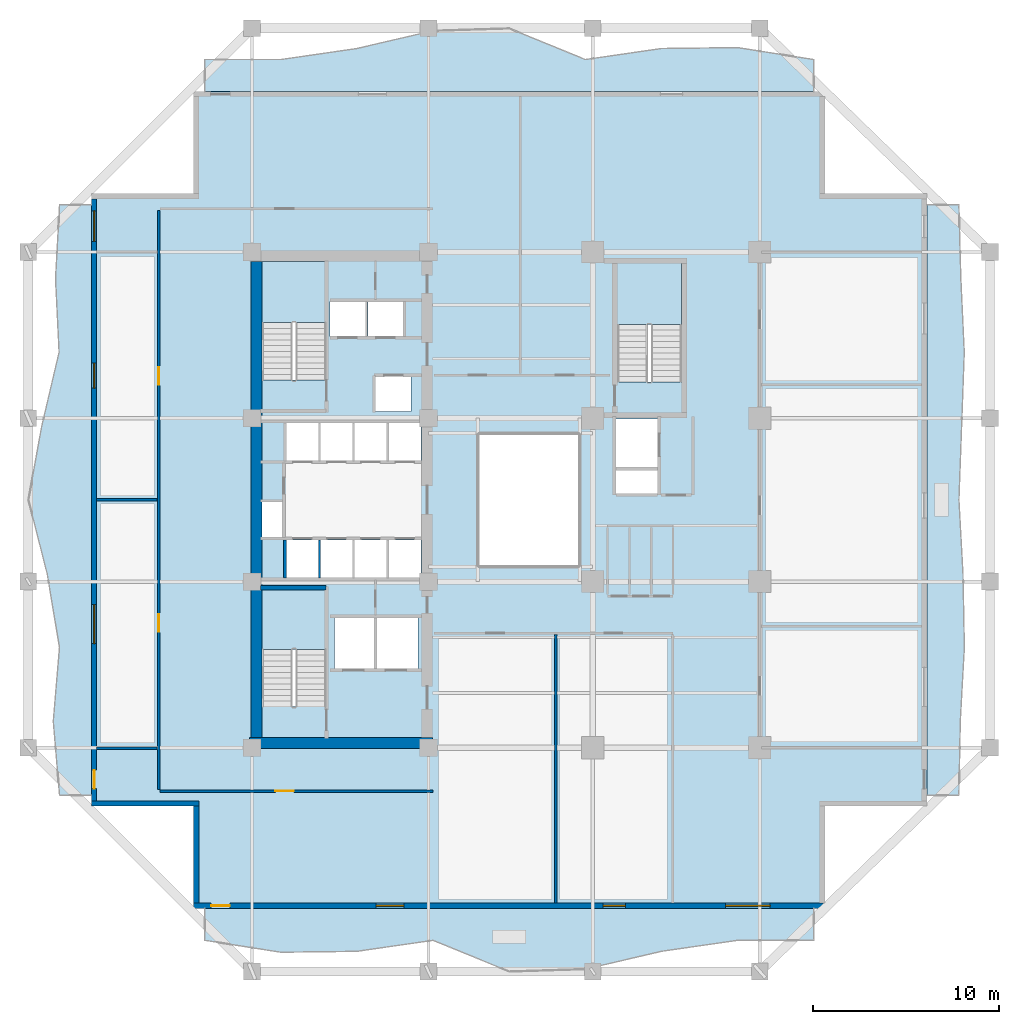
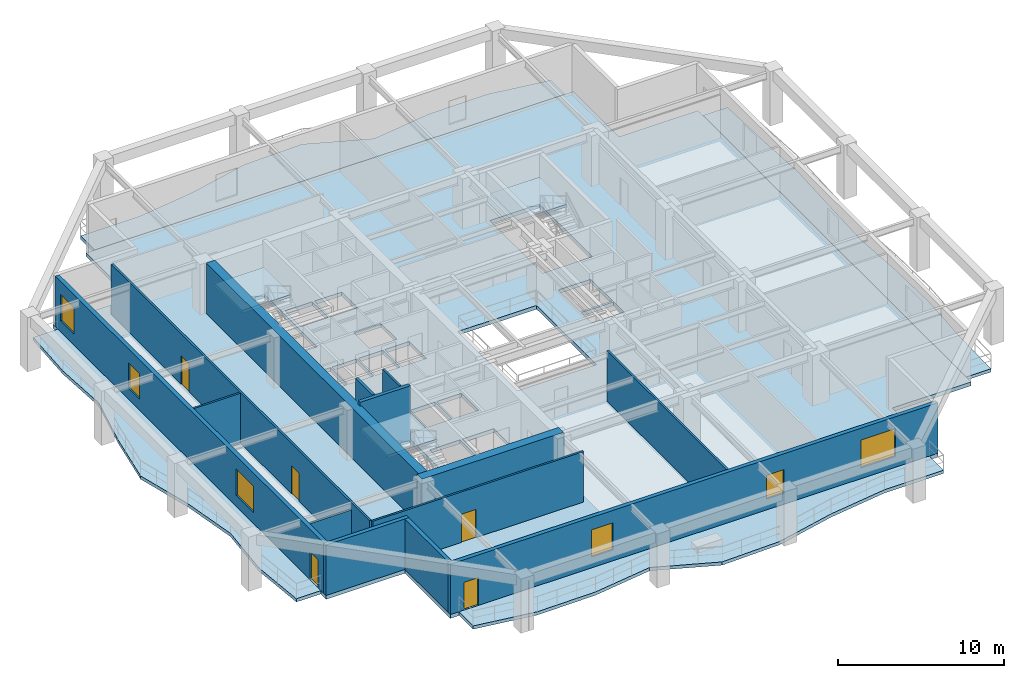
# One storey, part 2 of 12: 14 walls, 8 slabs, 6 windows, 5 doors, 11 openings, 3 elements without a shape of their own.
"""IFC4 building model written with IfcOpenShell, lengths in metres."""

from ifc_helpers import new_model, si_unit, direction, frame, frame_2d, origin, place, context, subcontext, project, spatial, polyline, rectangle, outline, extrude, material, layer, layer_set, type_object, element, fill, aggregate, save


model = new_model("IFC4")

# Units and contexts
model_context = context("Model", 3, precision=1e-05, world=origin(), true_north=direction((0.0, 1.0)))
body_context = subcontext(model_context, "Body", "Model", "MODEL_VIEW")
ifc_project = project(units=[si_unit("LENGTHUNIT", "METRE"), si_unit("AREAUNIT", "SQUARE_METRE"), si_unit("VOLUMEUNIT", "CUBIC_METRE"), si_unit("PLANEANGLEUNIT", "RADIAN"), si_unit("MASSUNIT", "GRAM", prefix="KILO")], contexts=[model_context])

# Site, building, storey
site_placement = place(None, origin())
site = spatial("IfcSite", under=ifc_project, at=site_placement, CompositionType="ELEMENT")
building_placement = place(site_placement, origin())
building = spatial("IfcBuilding", under=site, at=building_placement, Name="Kundavana Baori Tower", CompositionType="ELEMENT")
storey_placement = place(building_placement, frame((0.0, 0.0, 46.0)))
storey = spatial("IfcBuildingStorey", under=building, at=storey_placement, Name="L10", CompositionType="ELEMENT", Elevation=46.0)

# Slab
ifc_material_1 = material(Name="Concrete C40/50", Category="concrete")
ifc_layer_1 = layer(ifc_material_1, 0.280029296875, Name="SLB-FLR-280")
ifc_layer_set_1 = layer_set([ifc_layer_1], Name="Concrete C40/50")
slab_type_1 = type_object("IfcSlabType", Name="SLB-FLR-280", PredefinedType="FLOOR", material=ifc_layer_set_1)
slab_1_placement = place(storey_placement, frame((0.0, 0.0, -0.280029296875)))
element("IfcSlab", 1, at=slab_1_placement, inside=storey, type_object=slab_type_1, Name="L10 Structural Floor Slab", PredefinedType="FLOOR", context=body_context, shape_type="SweptSolid", body=[
    extrude(outline(polyline([(12.300048828125, 6.60009765625), (46.300048828125, 6.60009765625), (46.300048828125, 12.10009765625), (51.800048828125, 12.10009765625), (51.800048828125, 45.10009765625), (46.300048828125, 45.10009765625), (46.300048828125, 50.60009765625), (12.300048828125, 50.60009765625), (12.300048828125, 45.10009765625), (6.800048828125, 45.10009765625), (6.800048828125, 12.10009765625), (12.300048828125, 12.10009765625), (12.300048828125, 6.60009765625)]), holes=[polyline([(19.43994140625, 17.4619140625), (19.43994140625, 23.85009765625), (15.97998046875, 23.85009765625), (15.97998046875, 17.4619140625), (19.43994140625, 17.4619140625)]), polyline([(19.43994140625, 35.06201171875), (19.43994140625, 41.449951171875), (15.97998046875, 41.449951171875), (15.97998046875, 35.06201171875), (19.43994140625, 35.06201171875)]), polyline([(38.580078125, 34.9619140625), (38.580078125, 41.35009765625), (35.1201171875, 41.35009765625), (35.1201171875, 34.9619140625), (38.580078125, 34.9619140625)]), polyline([(17.300048828125, 24.39990234375), (19.02001953125, 24.39990234375), (19.02001953125, 26.449951171875), (17.300048828125, 26.449951171875), (17.300048828125, 24.39990234375)]), polyline([(19.139892578125, 24.39990234375), (20.860107421875, 24.39990234375), (20.860107421875, 26.449951171875), (19.139892578125, 26.449951171875), (19.139892578125, 24.39990234375)]), polyline([(20.97998046875, 24.39990234375), (22.699951171875, 24.39990234375), (22.699951171875, 26.449951171875), (20.97998046875, 26.449951171875), (20.97998046875, 24.39990234375)]), polyline([(22.820068359375, 24.39990234375), (24.5400390625, 24.39990234375), (24.5400390625, 26.449951171875), (22.820068359375, 26.449951171875), (22.820068359375, 24.39990234375)]), polyline([(17.300048828125, 30.699951171875), (19.02001953125, 30.699951171875), (19.02001953125, 32.75), (17.300048828125, 32.75), (17.300048828125, 30.699951171875)]), polyline([(19.139892578125, 30.699951171875), (20.860107421875, 30.699951171875), (20.860107421875, 32.75), (19.139892578125, 32.75), (19.139892578125, 30.699951171875)]), polyline([(20.97998046875, 30.699951171875), (22.699951171875, 30.699951171875), (22.699951171875, 32.75), (20.97998046875, 32.75), (20.97998046875, 30.699951171875)]), polyline([(22.820068359375, 30.699951171875), (24.5400390625, 30.699951171875), (24.5400390625, 32.75), (22.820068359375, 32.75), (22.820068359375, 30.699951171875)]), polyline([(19.64990234375, 37.39990234375), (21.550048828125, 37.39990234375), (21.550048828125, 39.300048828125), (19.64990234375, 39.300048828125), (19.64990234375, 37.39990234375)]), polyline([(21.699951171875, 37.39990234375), (23.60009765625, 37.39990234375), (23.60009765625, 39.300048828125), (21.699951171875, 39.300048828125), (21.699951171875, 37.39990234375)]), polyline([(22.10009765625, 33.35009765625), (24.0, 33.35009765625), (24.0, 35.25), (22.10009765625, 35.25), (22.10009765625, 33.35009765625)]), polyline([(19.8798828125, 19.5), (22.02001953125, 19.5), (22.02001953125, 22.25), (19.8798828125, 22.25), (19.8798828125, 19.5)]), polyline([(22.179931640625, 19.5), (24.3798828125, 19.5), (24.3798828125, 22.25), (22.179931640625, 22.25), (22.179931640625, 19.5)]), polyline([(35.050048828125, 30.35009765625), (37.300048828125, 30.35009765625), (37.300048828125, 32.949951171875), (35.050048828125, 32.949951171875), (35.050048828125, 30.35009765625)]), polyline([(15.949951171875, 26.60009765625), (17.080078125, 26.60009765625), (17.080078125, 28.5), (15.949951171875, 28.5), (15.949951171875, 26.60009765625)]), polyline([(35.050048828125, 28.949951171875), (37.300048828125, 28.949951171875), (37.300048828125, 30.199951171875), (35.050048828125, 30.199951171875), (35.050048828125, 28.949951171875)]), polyline([(27.60009765625, 25.0), (33.10009765625, 25.0), (33.10009765625, 32.199951171875), (27.60009765625, 32.199951171875), (27.60009765625, 25.0)])]), origin(), (0.0, 0.0, 1.0), 0.280029296875),
])

# Stair, slab
ifc_material_2 = material(Name="Concrete C40/50", Category="concrete")
stair_type = type_object("IfcStairType", Name="STR-DOG-1650", PredefinedType="HALF_TURN_STAIR", material=ifc_material_2)
stair_1_placement = place(storey_placement, origin())
stair_1 = element("IfcStair", 2, at=stair_1_placement, inside=storey, type_object=stair_type, Name="L10 Protected Exit Stair ST1", PredefinedType="HALF_TURN_STAIR")
ifc_material_3 = material(Name="Concrete C40/50", Category="concrete")
ifc_layer_2 = layer(ifc_material_3, 0.199951171875, Name="SLB-LND-200")
ifc_layer_set_2 = layer_set([ifc_layer_2], Name="Concrete C40/50")
slab_type_2 = type_object("IfcSlabType", Name="SLB-LND-200", PredefinedType="LANDING", material=ifc_layer_set_2)
slab_2_placement = place(storey_placement, frame((0.0, 0.0, 1.800048828125)))
slab_2 = element("IfcSlab", 3, at=slab_2_placement, type_object=slab_type_2, Name="ST1 landing 1", PredefinedType="LANDING", context=body_context, shape_type="SweptSolid", body=[
    extrude(outline(polyline([(19.43994140625, 20.550048828125), (19.43994140625, 23.85009765625), (15.97998046875, 23.85009765625), (15.97998046875, 20.550048828125), (19.43994140625, 20.550048828125)])), origin(), (0.0, 0.0, 1.0), 0.199951171875),
])
aggregate(stair_1, [slab_2])

stair_2_placement = place(storey_placement, origin())
stair_2 = element("IfcStair", 4, at=stair_2_placement, inside=storey, type_object=stair_type, Name="L10 Protected Exit Stair ST2", PredefinedType="HALF_TURN_STAIR")
slab_3_placement = place(storey_placement, frame((0.0, 0.0, 1.800048828125)))
slab_3 = element("IfcSlab", 5, at=slab_3_placement, type_object=slab_type_2, Name="ST2 landing 1", PredefinedType="LANDING", context=body_context, shape_type="SweptSolid", body=[
    extrude(outline(polyline([(19.43994140625, 38.14990234375), (19.43994140625, 41.449951171875), (15.97998046875, 41.449951171875), (15.97998046875, 38.14990234375), (19.43994140625, 38.14990234375)])), origin(), (0.0, 0.0, 1.0), 0.199951171875),
])
aggregate(stair_2, [slab_3])

stair_3_placement = place(storey_placement, origin())
stair_3 = element("IfcStair", 6, at=stair_3_placement, inside=storey, type_object=stair_type, Name="L10 Protected Exit Stair ST3", PredefinedType="HALF_TURN_STAIR")
slab_4_placement = place(storey_placement, frame((0.0, 0.0, 1.800048828125)))
slab_4 = element("IfcSlab", 7, at=slab_4_placement, type_object=slab_type_2, Name="ST3 landing 1", PredefinedType="LANDING", context=body_context, shape_type="SweptSolid", body=[
    extrude(outline(polyline([(38.580078125, 38.050048828125), (38.580078125, 41.35009765625), (35.1201171875, 41.35009765625), (35.1201171875, 38.050048828125), (38.580078125, 38.050048828125)])), origin(), (0.0, 0.0, 1.0), 0.199951171875),
])
aggregate(stair_3, [slab_4])

# Slabs
ifc_material_4 = material(Name="Concrete C40/50", Category="concrete")
ifc_layer_3 = layer(ifc_material_4, 0.239990234375, Name="SLB-LOG-240")
ifc_layer_set_3 = layer_set([ifc_layer_3], Name="Concrete C40/50")
slab_type_3 = type_object("IfcSlabType", Name="SLB-LOG-240", PredefinedType="FLOOR", material=ifc_layer_set_3)
slab_5_placement = place(storey_placement, frame((0.0, 0.0, -0.239990234375)))
element("IfcSlab", 8, at=slab_5_placement, inside=storey, type_object=slab_type_3, Name="L10 Planted Loggia Balcony Slab S", PredefinedType="FLOOR", context=body_context, shape_type="SweptSolid", body=[
    extrude(outline(polyline([(12.89990234375, 6.60009765625), (45.699951171875, 6.60009765625), (45.699951171875, 4.8798828125), (41.60009765625, 4.8798828125), (37.5, 4.285888671875), (33.39990234375, 3.327880859375), (29.300048828125, 3.199951171875), (25.199951171875, 4.8798828125), (21.10009765625, 4.285888671875), (17.0, 4.237060546875), (12.89990234375, 4.8798828125), (12.89990234375, 6.60009765625)])), origin(), (0.0, 0.0, 1.0), 0.239990234375),
])
slab_6_placement = place(storey_placement, frame((0.0, 0.0, -0.239990234375)))
element("IfcSlab", 9, at=slab_6_placement, inside=storey, type_object=slab_type_3, Name="L10 Planted Loggia Balcony Slab E", PredefinedType="FLOOR", context=body_context, shape_type="SweptSolid", body=[
    extrude(outline(polyline([(51.800048828125, 12.699951171875), (51.800048828125, 44.5), (53.52001953125, 44.5), (53.626953125, 40.52490234375), (53.81103515625, 36.550048828125), (53.66796875, 32.574951171875), (53.52392578125, 28.60009765625), (53.741943359375, 24.625), (53.81591796875, 20.64990234375), (53.596923828125, 16.675048828125), (53.52001953125, 12.699951171875), (51.800048828125, 12.699951171875)])), origin(), (0.0, 0.0, 1.0), 0.239990234375),
])
slab_7_placement = place(storey_placement, frame((0.0, 0.0, -0.239990234375)))
element("IfcSlab", 10, at=slab_7_placement, inside=storey, type_object=slab_type_3, Name="L10 Planted Loggia Balcony Slab N", PredefinedType="FLOOR", context=body_context, shape_type="SweptSolid", body=[
    extrude(outline(polyline([(45.699951171875, 50.60009765625), (12.89990234375, 50.60009765625), (12.89990234375, 52.320068359375), (17.0, 52.320068359375), (21.10009765625, 52.9140625), (25.199951171875, 53.8720703125), (29.300048828125, 54.0), (33.39990234375, 52.320068359375), (37.5, 52.9140625), (41.60009765625, 52.962890625), (45.699951171875, 52.320068359375), (45.699951171875, 50.60009765625)])), origin(), (0.0, 0.0, 1.0), 0.239990234375),
])
slab_8_placement = place(storey_placement, frame((0.0, 0.0, -0.239990234375)))
element("IfcSlab", 11, at=slab_8_placement, inside=storey, type_object=slab_type_3, Name="L10 Planted Loggia Balcony Slab W", PredefinedType="FLOOR", context=body_context, shape_type="SweptSolid", body=[
    extrude(outline(polyline([(6.800048828125, 44.5), (6.800048828125, 12.699951171875), (5.080078125, 12.699951171875), (4.742919921875, 16.675048828125), (5.076904296875, 20.64990234375), (4.4150390625, 24.625), (3.39990234375, 28.60009765625), (4.1201171875, 32.574951171875), (5.055908203125, 36.550048828125), (4.864013671875, 40.52490234375), (5.080078125, 44.5), (6.800048828125, 44.5)])), origin(), (0.0, 0.0, 1.0), 0.239990234375),
])

# Walls
ifc_material_5 = material(Name="Concrete C50/60", Category="concrete")
ifc_layer_4 = layer(ifc_material_5, 0.39990234375, Name="WL-CORE-400")
ifc_layer_set_4 = layer_set([ifc_layer_4], Name="Concrete C50/60")
wall_type_1 = type_object("IfcWallType", Name="WL-CORE-400", PredefinedType="SHEAR", material=ifc_layer_set_4)
wall_1_placement = place(storey_placement, frame((15.89990234375, 23.860107421875, 0.0), z_axis=(0.0, 0.0, 1.0), x_axis=(1.0, 0.0, 0.0)))
element("IfcWall", 12, at=wall_1_placement, inside=storey, type_object=wall_type_1, Name="WL-L10-ST1-N", PredefinedType="SHEAR", context=body_context, shape_type="SweptSolid", body=[
    extrude(rectangle(XDim=3.52001953125, YDim=0.239990234375, at=frame_2d((1.760009765625, 0.0))), origin(), (0.0, 0.0, 1.0), 4.0),
])
ifc_material_6 = material(Name="Concrete C60/75", Category="concrete")
ifc_layer_5 = layer(ifc_material_6, 0.60009765625, Name="WL-CORE-600")
ifc_layer_set_5 = layer_set([ifc_layer_5], Name="Concrete C60/75")
wall_type_2 = type_object("IfcWallType", Name="WL-CORE-600", PredefinedType="SHEAR", material=ifc_layer_set_5)
wall_2_placement = place(storey_placement, frame((15.300048828125, 15.510009765625, 0.0), z_axis=(0.0, 0.0, 1.0), x_axis=(1.0, 0.0, 0.0)))
element("IfcWall", 13, at=wall_2_placement, inside=storey, type_object=wall_type_2, Name="L10 Offset Core South Shear Wall", PredefinedType="SHEAR", context=body_context, shape_type="SweptSolid", body=[
    extrude(rectangle(XDim=9.8798828125, YDim=0.60009765625, at=frame_2d((4.93994140625, 0.0))), origin(), (0.0, 0.0, 1.0), 3.719970703125),
])
wall_3_placement = place(storey_placement, frame((15.68994140625, 15.81005859375, 0.0), z_axis=(0.0, 0.0, 1.0), x_axis=(0.0, 1.0, 0.0)))
element("IfcWall", 14, at=wall_3_placement, inside=storey, type_object=wall_type_2, Name="L10 Offset Core West Shear Wall", PredefinedType="SHEAR", context=body_context, shape_type="SweptSolid", body=[
    extrude(rectangle(XDim=25.6298828125, YDim=0.60009765625, at=frame_2d((12.81494140625, 0.0))), origin(), (0.0, 0.0, 1.0), 3.719970703125),
])

# Wall, openings, door, windows
ifc_material_7 = material(Name="Red-Buff Dholpur Sandstone Cladding on Concrete C40/50", Category="masonry")
ifc_layer_6 = layer(ifc_material_7, 0.280029296875, Name="WL-EXT-SAND-280")
ifc_layer_set_6 = layer_set([ifc_layer_6], Name="Red-Buff Dholpur Sandstone Cladding on Concrete C40/50")
wall_type_3 = type_object("IfcWallType", Name="WL-EXT-SAND-280", PredefinedType="STANDARD", material=ifc_layer_set_6)
wall_4_placement = place(storey_placement, frame((12.300048828125, 6.739990234375, 0.0), z_axis=(0.0, 0.0, 1.0), x_axis=(1.0, 0.0, 0.0)))
wall_4 = element("IfcWall", 15, at=wall_4_placement, inside=storey, type_object=wall_type_3, Name="L10 Exterior Insulated Facade Wall 01", PredefinedType="STANDARD", context=body_context, shape_type="SweptSolid", body=[
    extrude(rectangle(XDim=34.0, YDim=0.280029296875, at=frame_2d((17.0, 0.0))), origin(), (0.0, 0.0, 1.0), 3.719970703125),
])
opening_1_placement = place(wall_4_placement, frame((0.949951171875, 0.0, 0.0)))
opening_1 = element("IfcOpeningElement", 16, at=opening_1_placement, cuts=wall_4, Name="Opening BD-1", PredefinedType="OPENING", context=body_context, shape_type="SweptSolid", body=[
    extrude(rectangle(XDim=1.0, YDim=2.050048828125, at=frame_2d((0.5, 1.02490234375))), frame((0.0, 0.14990234375, 0.0), z_axis=(0.0, -1.0, 0.0), x_axis=(1.0, 0.0, 0.0)), (0.0, 0.0, 1.0), 0.300048828125),
])
opening_2_placement = place(wall_4_placement, frame((9.830078125, 0.0, 0.800048828125)))
opening_2 = element("IfcOpeningElement", 17, at=opening_2_placement, cuts=wall_4, Name="Opening W-02", PredefinedType="OPENING", context=body_context, shape_type="SweptSolid", body=[
    extrude(rectangle(XDim=1.5, YDim=2.0, at=frame_2d((0.75, 1.0))), frame((0.0, 0.14990234375, 0.0), z_axis=(0.0, -1.0, 0.0), x_axis=(1.0, 0.0, 0.0)), (0.0, 0.0, 1.0), 0.300048828125),
])
opening_3_placement = place(wall_4_placement, frame((22.06005859375, 0.0, 0.800048828125)))
opening_3 = element("IfcOpeningElement", 18, at=opening_3_placement, cuts=wall_4, Name="Opening W-03", PredefinedType="OPENING", context=body_context, shape_type="SweptSolid", body=[
    extrude(rectangle(XDim=1.199951171875, YDim=1.75, at=frame_2d((0.60009765625, 0.875))), frame((0.0, 0.14990234375, 0.0), z_axis=(0.0, -1.0, 0.0), x_axis=(1.0, 0.0, 0.0)), (0.0, 0.0, 1.0), 0.300048828125),
])
opening_4_placement = place(wall_4_placement, frame((28.655029296875, 0.0, 0.800048828125)))
opening_4 = element("IfcOpeningElement", 19, at=opening_4_placement, cuts=wall_4, Name="Opening W-04", PredefinedType="OPENING", context=body_context, shape_type="SweptSolid", body=[
    extrude(rectangle(XDim=2.39990234375, YDim=2.050048828125, at=frame_2d((1.199951171875, 1.02490234375))), frame((0.0, 0.14990234375, 0.0), z_axis=(0.0, -1.0, 0.0), x_axis=(1.0, 0.0, 0.0)), (0.0, 0.0, 1.0), 0.300048828125),
])
ifc_material_8 = material(Name="Architectural Patinated Bronze Metalwork")
door_type_1 = type_object("IfcDoorType", Name="DR-EXT-LOG-1000", OperationType="NOTDEFINED", PredefinedType="DOOR", material=ifc_material_8)
door_1_placement = place(opening_1_placement, frame((1.0, 0.0, 0.0), z_axis=(0.0, 0.0, 1.0), x_axis=(-1.0, 0.0, 0.0)))
door_1 = element("IfcDoor", 20, at=door_1_placement, inside=storey, type_object=door_type_1, Name="L10 Loggia Balcony Access Door S", OperationType="SINGLE_SWING_LEFT", OverallHeight=2.050048828125, OverallWidth=1.0, PredefinedType="DOOR", context=body_context, shape_type="SweptSolid", body=[
    extrude(rectangle(XDim=1.0, YDim=2.050048828125, at=frame_2d((0.5, 1.02490234375))), frame((0.0, 0.02490234375, 0.0), z_axis=(0.0, -1.0, 0.0), x_axis=(1.0, 0.0, 0.0)), (0.0, 0.0, 1.0), 0.050048828125),
])
fill(opening_1, door_1)
ifc_material_9 = material(Name="Double-Glazed Solar-Control Low-E Insulated Glass", Category="glass")
window_type_1 = type_object("IfcWindowType", Name="WIN-LOG-1200x1750", PartitioningType="SINGLE_PANEL", PredefinedType="WINDOW", material=ifc_material_9)
window_1_placement = place(opening_3_placement, origin())
window_1 = element("IfcWindow", 21, at=window_1_placement, inside=storey, type_object=window_type_1, Name="L10 Recessed Loggia Window S-2", OverallHeight=1.75, OverallWidth=1.199951171875, PartitioningType="SINGLE_PANEL", PredefinedType="WINDOW", context=body_context, shape_type="SweptSolid", body=[
    extrude(rectangle(XDim=1.199951171875, YDim=1.75, at=frame_2d((0.60009765625, 0.875))), frame((0.0, 0.030029296875, 0.0), z_axis=(0.0, -1.0, 0.0), x_axis=(1.0, 0.0, 0.0)), (0.0, 0.0, 1.0), 0.06005859375),
])
fill(opening_3, window_1)
ifc_material_10 = material(Name="Double-Glazed Solar-Control Low-E Insulated Glass", Category="glass")
window_type_2 = type_object("IfcWindowType", Name="WIN-LOG-1500x2000", PartitioningType="SINGLE_PANEL", PredefinedType="WINDOW", material=ifc_material_10)
window_2_placement = place(opening_2_placement, origin())
window_2 = element("IfcWindow", 22, at=window_2_placement, inside=storey, type_object=window_type_2, Name="L10 Recessed Loggia Window S-1", OverallHeight=2.0, OverallWidth=1.5, PartitioningType="SINGLE_PANEL", PredefinedType="WINDOW", context=body_context, shape_type="SweptSolid", body=[
    extrude(rectangle(XDim=1.5, YDim=2.0, at=frame_2d((0.75, 1.0))), frame((0.0, 0.030029296875, 0.0), z_axis=(0.0, -1.0, 0.0), x_axis=(1.0, 0.0, 0.0)), (0.0, 0.0, 1.0), 0.06005859375),
])
fill(opening_2, window_2)
ifc_material_11 = material(Name="Double-Glazed Solar-Control Low-E Insulated Glass", Category="glass")
window_type_3 = type_object("IfcWindowType", Name="WIN-LOG-2400x2050", PartitioningType="SINGLE_PANEL", PredefinedType="WINDOW", material=ifc_material_11)
window_3_placement = place(opening_4_placement, origin())
window_3 = element("IfcWindow", 23, at=window_3_placement, inside=storey, type_object=window_type_3, Name="L10 Recessed Loggia Window S-3", OverallHeight=2.050048828125, OverallWidth=2.39990234375, PartitioningType="SINGLE_PANEL", PredefinedType="WINDOW", context=body_context, shape_type="SweptSolid", body=[
    extrude(rectangle(XDim=2.39990234375, YDim=2.050048828125, at=frame_2d((1.199951171875, 1.02490234375))), frame((0.0, 0.030029296875, 0.0), z_axis=(0.0, -1.0, 0.0), x_axis=(1.0, 0.0, 0.0)), (0.0, 0.0, 1.0), 0.06005859375),
])
fill(opening_4, window_3)

wall_5_placement = place(storey_placement, frame((6.93994140625, 44.820068359375, 0.0), z_axis=(0.0, 0.0, 1.0), x_axis=(0.0, -1.0, 0.0)))
wall_5 = element("IfcWall", 24, at=wall_5_placement, inside=storey, type_object=wall_type_3, Name="L10 Exterior Insulated Facade Wall 10", PredefinedType="STANDARD", context=body_context, shape_type="SweptSolid", body=[
    extrude(rectangle(XDim=32.440185546875, YDim=0.280029296875, at=frame_2d((16.22021484375, 0.0))), origin(), (0.0, 0.0, 1.0), 3.719970703125),
])
opening_5_placement = place(wall_5_placement, frame((30.77001953125, 0.0, 0.0)))
opening_5 = element("IfcOpeningElement", 25, at=opening_5_placement, cuts=wall_5, Name="Opening BD-1", PredefinedType="OPENING", context=body_context, shape_type="SweptSolid", body=[
    extrude(rectangle(XDim=1.0, YDim=2.050048828125, at=frame_2d((0.5, 1.02490234375))), frame((0.0, 0.14990234375, 0.0), z_axis=(0.0, -1.0, 0.0), x_axis=(1.0, 0.0, 0.0)), (0.0, 0.0, 1.0), 0.300048828125),
])
opening_6_placement = place(wall_5_placement, frame((21.860107421875, 0.0, 0.800048828125)))
opening_6 = element("IfcOpeningElement", 26, at=opening_6_placement, cuts=wall_5, Name="Opening W-05", PredefinedType="OPENING", context=body_context, shape_type="SweptSolid", body=[
    extrude(rectangle(XDim=2.10009765625, YDim=1.949951171875, at=frame_2d((1.050048828125, 0.97509765625))), frame((0.0, 0.14990234375, 0.0), z_axis=(0.0, -1.0, 0.0), x_axis=(1.0, 0.0, 0.0)), (0.0, 0.0, 1.0), 0.300048828125),
])
opening_7_placement = place(wall_5_placement, frame((8.85498046875, 0.0, 0.800048828125)))
opening_7 = element("IfcOpeningElement", 27, at=opening_7_placement, cuts=wall_5, Name="Opening W-07", PredefinedType="OPENING", context=body_context, shape_type="SweptSolid", body=[
    extrude(rectangle(XDim=1.35009765625, YDim=1.89990234375, at=frame_2d((0.675048828125, 0.949951171875))), frame((0.0, 0.14990234375, 0.0), z_axis=(0.0, -1.0, 0.0), x_axis=(1.0, 0.0, 0.0)), (0.0, 0.0, 1.0), 0.300048828125),
])
opening_8_placement = place(wall_5_placement, frame((0.64990234375, 0.0, 0.800048828125)))
opening_8 = element("IfcOpeningElement", 28, at=opening_8_placement, cuts=wall_5, Name="Opening W-08", PredefinedType="OPENING", context=body_context, shape_type="SweptSolid", body=[
    extrude(rectangle(XDim=1.64990234375, YDim=1.949951171875, at=frame_2d((0.824951171875, 0.97509765625))), frame((0.0, 0.14990234375, 0.0), z_axis=(0.0, -1.0, 0.0), x_axis=(1.0, 0.0, 0.0)), (0.0, 0.0, 1.0), 0.300048828125),
])
door_2_placement = place(opening_5_placement, frame((1.0, 0.0, 0.0), z_axis=(0.0, 0.0, 1.0), x_axis=(-1.0, 0.0, 0.0)))
door_2 = element("IfcDoor", 29, at=door_2_placement, inside=storey, type_object=door_type_1, Name="L10 Loggia Balcony Access Door W", OperationType="SINGLE_SWING_RIGHT", OverallHeight=2.050048828125, OverallWidth=1.0, PredefinedType="DOOR", context=body_context, shape_type="SweptSolid", body=[
    extrude(rectangle(XDim=1.0, YDim=2.050048828125, at=frame_2d((0.5, 1.02490234375))), frame((0.0, 0.02490234375, 0.0), z_axis=(0.0, -1.0, 0.0), x_axis=(1.0, 0.0, 0.0)), (0.0, 0.0, 1.0), 0.050048828125),
])
fill(opening_5, door_2)
ifc_material_12 = material(Name="Double-Glazed Solar-Control Low-E Insulated Glass", Category="glass")
window_type_4 = type_object("IfcWindowType", Name="WIN-LOG-1350x1900", PartitioningType="SINGLE_PANEL", PredefinedType="WINDOW", material=ifc_material_12)
window_4_placement = place(opening_7_placement, origin())
window_4 = element("IfcWindow", 30, at=window_4_placement, inside=storey, type_object=window_type_4, Name="L10 Recessed Loggia Window W-3", OverallHeight=1.89990234375, OverallWidth=1.35009765625, PartitioningType="SINGLE_PANEL", PredefinedType="WINDOW", context=body_context, shape_type="SweptSolid", body=[
    extrude(rectangle(XDim=1.35009765625, YDim=1.89990234375, at=frame_2d((0.675048828125, 0.949951171875))), frame((0.0, 0.030029296875, 0.0), z_axis=(0.0, -1.0, 0.0), x_axis=(1.0, 0.0, 0.0)), (0.0, 0.0, 1.0), 0.06005859375),
])
fill(opening_7, window_4)
ifc_material_13 = material(Name="Double-Glazed Solar-Control Low-E Insulated Glass", Category="glass")
window_type_5 = type_object("IfcWindowType", Name="WIN-LOG-1650x1950", PartitioningType="SINGLE_PANEL", PredefinedType="WINDOW", material=ifc_material_13)
window_5_placement = place(opening_8_placement, origin())
window_5 = element("IfcWindow", 31, at=window_5_placement, inside=storey, type_object=window_type_5, Name="L10 Recessed Loggia Window W-4", OverallHeight=1.949951171875, OverallWidth=1.64990234375, PartitioningType="SINGLE_PANEL", PredefinedType="WINDOW", context=body_context, shape_type="SweptSolid", body=[
    extrude(rectangle(XDim=1.64990234375, YDim=1.949951171875, at=frame_2d((0.824951171875, 0.97509765625))), frame((0.0, 0.030029296875, 0.0), z_axis=(0.0, -1.0, 0.0), x_axis=(1.0, 0.0, 0.0)), (0.0, 0.0, 1.0), 0.06005859375),
])
fill(opening_8, window_5)
ifc_material_14 = material(Name="Double-Glazed Solar-Control Low-E Insulated Glass", Category="glass")
window_type_6 = type_object("IfcWindowType", Name="WIN-LOG-2100x1950", PartitioningType="SINGLE_PANEL", PredefinedType="WINDOW", material=ifc_material_14)
window_6_placement = place(opening_6_placement, origin())
window_6 = element("IfcWindow", 32, at=window_6_placement, inside=storey, type_object=window_type_6, Name="L10 Recessed Loggia Window W-2", OverallHeight=1.949951171875, OverallWidth=2.10009765625, PartitioningType="SINGLE_PANEL", PredefinedType="WINDOW", context=body_context, shape_type="SweptSolid", body=[
    extrude(rectangle(XDim=2.10009765625, YDim=1.949951171875, at=frame_2d((1.050048828125, 0.97509765625))), frame((0.0, 0.030029296875, 0.0), z_axis=(0.0, -1.0, 0.0), x_axis=(1.0, 0.0, 0.0)), (0.0, 0.0, 1.0), 0.06005859375),
])
fill(opening_6, window_6)

# Walls
wall_6_placement = place(storey_placement, frame((6.800048828125, 12.239990234375, 0.0), z_axis=(0.0, 0.0, 1.0), x_axis=(1.0, 0.0, 0.0)))
element("IfcWall", 33, at=wall_6_placement, inside=storey, type_object=wall_type_3, Name="L10 Exterior Insulated Facade Wall 11", PredefinedType="STANDARD", context=body_context, shape_type="SweptSolid", body=[
    extrude(rectangle(XDim=5.780029296875, YDim=0.280029296875, at=frame_2d((2.89013671875, 0.0))), origin(), (0.0, 0.0, 1.0), 3.719970703125),
])
wall_7_placement = place(storey_placement, frame((12.43994140625, 12.10009765625, 0.0), z_axis=(0.0, 0.0, 1.0), x_axis=(0.0, -1.0, 0.0)))
element("IfcWall", 34, at=wall_7_placement, inside=storey, type_object=wall_type_3, Name="L10 Exterior Insulated Facade Wall 12", PredefinedType="STANDARD", context=body_context, shape_type="SweptSolid", body=[
    extrude(rectangle(XDim=5.22021484375, YDim=0.280029296875, at=frame_2d((2.610107421875, 0.0))), origin(), (0.0, 0.0, 1.0), 3.719970703125),
])
ifc_material_15 = material(Name="Acoustic Gypsum Plasterboard on Galvanised Steel Studs", Category="steel")
ifc_layer_7 = layer(ifc_material_15, 0.1201171875, Name="WL-PART-120")
ifc_layer_set_7 = layer_set([ifc_layer_7], Name="Acoustic Gypsum Plasterboard on Galvanised Steel Studs")
wall_type_4 = type_object("IfcWallType", Name="WL-PART-120", PredefinedType="PARTITIONING", material=ifc_layer_set_7)
wall_8_placement = place(storey_placement, frame((19.080078125, 24.39990234375, 0.0), z_axis=(0.0, 0.0, 1.0), x_axis=(0.0, 1.0, 0.0)))
element("IfcWall", 35, at=wall_8_placement, inside=storey, type_object=wall_type_4, Name="WL-L10-LPLOW-D1", PredefinedType="PARTITIONING", context=body_context, shape_type="SweptSolid", body=[
    extrude(rectangle(XDim=2.050048828125, YDim=0.1201171875, at=frame_2d((1.02490234375, 0.0))), origin(), (0.0, 0.0, 1.0), 3.719970703125),
])

# Wall, openings, doors
ifc_material_16 = material(Name="Acoustic Gypsum Plasterboard on Galvanised Steel Studs", Category="steel")
ifc_layer_8 = layer(ifc_material_16, 0.135009765625, Name="WL-PART-135")
ifc_layer_set_8 = layer_set([ifc_layer_8], Name="Acoustic Gypsum Plasterboard on Galvanised Steel Studs")
wall_type_5 = type_object("IfcWallType", Name="WL-PART-135", PredefinedType="PARTITIONING", material=ifc_layer_set_8)
wall_9_placement = place(storey_placement, frame((10.419921875, 13.0, 0.0), z_axis=(0.0, 0.0, 1.0), x_axis=(0.0, 1.0, 0.0)))
wall_9 = element("IfcWall", 36, at=wall_9_placement, inside=storey, type_object=wall_type_5, Name="WL-L10-OW", PredefinedType="PARTITIONING", context=body_context, shape_type="SweptSolid", body=[
    extrude(rectangle(XDim=31.199951171875, YDim=0.135009765625, at=frame_2d((15.60009765625, 0.0))), origin(), (0.0, 0.0, 1.0), 3.719970703125),
])
opening_9_placement = place(wall_9_placement, frame((8.5, 0.0, 0.0)))
opening_9 = element("IfcOpeningElement", 37, at=opening_9_placement, cuts=wall_9, Name="Opening ID-095", PredefinedType="OPENING", context=body_context, shape_type="SweptSolid", body=[
    extrude(rectangle(XDim=0.949951171875, YDim=2.080078125, at=frame_2d((0.47509765625, 1.0400390625))), frame((0.0, 0.07763671875, 0.0), z_axis=(0.0, -1.0, 0.0), x_axis=(1.0, 0.0, 0.0)), (0.0, 0.0, 1.0), 0.155029296875),
])
opening_10_placement = place(wall_9_placement, frame((21.800048828125, 0.0, 0.0)))
opening_10 = element("IfcOpeningElement", 38, at=opening_10_placement, cuts=wall_9, Name="Opening ID-095", PredefinedType="OPENING", context=body_context, shape_type="SweptSolid", body=[
    extrude(rectangle(XDim=0.949951171875, YDim=2.080078125, at=frame_2d((0.47509765625, 1.0400390625))), frame((0.0, 0.07763671875, 0.0), z_axis=(0.0, -1.0, 0.0), x_axis=(1.0, 0.0, 0.0)), (0.0, 0.0, 1.0), 0.155029296875),
])
ifc_material_17 = material(Name="Engineered Teak Solid-Core Timber Veneer", Category="wood")
door_type_2 = type_object("IfcDoorType", Name="DR-INT-950", OperationType="NOTDEFINED", PredefinedType="DOOR", material=ifc_material_17)
door_3_placement = place(opening_9_placement, frame((0.949951171875, 0.0, 0.0), z_axis=(0.0, 0.0, 1.0), x_axis=(-1.0, 0.0, 0.0)))
door_3 = element("IfcDoor", 39, at=door_3_placement, inside=storey, type_object=door_type_2, Name="DR-L10-OFW1", OperationType="SINGLE_SWING_LEFT", OverallHeight=2.080078125, OverallWidth=0.949951171875, PredefinedType="DOOR", context=body_context, shape_type="SweptSolid", body=[
    extrude(rectangle(XDim=0.949951171875, YDim=2.080078125, at=frame_2d((0.47509765625, 1.0400390625))), frame((0.0, 0.02490234375, 0.0), z_axis=(0.0, -1.0, 0.0), x_axis=(1.0, 0.0, 0.0)), (0.0, 0.0, 1.0), 0.050048828125),
])
fill(opening_9, door_3)
door_4_placement = place(opening_10_placement, frame((0.949951171875, 0.0, 0.0), z_axis=(0.0, 0.0, 1.0), x_axis=(-1.0, 0.0, 0.0)))
door_4 = element("IfcDoor", 40, at=door_4_placement, inside=storey, type_object=door_type_2, Name="DR-L10-OFW2", OperationType="SINGLE_SWING_RIGHT", OverallHeight=2.080078125, OverallWidth=0.949951171875, PredefinedType="DOOR", context=body_context, shape_type="SweptSolid", body=[
    extrude(rectangle(XDim=0.949951171875, YDim=2.080078125, at=frame_2d((0.47509765625, 1.0400390625))), frame((0.0, 0.02490234375, 0.0), z_axis=(0.0, -1.0, 0.0), x_axis=(1.0, 0.0, 0.0)), (0.0, 0.0, 1.0), 0.050048828125),
])
fill(opening_10, door_4)

# Wall
wall_10_placement = place(storey_placement, frame((7.080078125, 15.219970703125, 0.0), z_axis=(0.0, 0.0, 1.0), x_axis=(1.0, 0.0, 0.0)))
element("IfcWall", 41, at=wall_10_placement, inside=storey, type_object=wall_type_5, Name="WL-L10-OWS", PredefinedType="PARTITIONING", context=body_context, shape_type="SweptSolid", body=[
    extrude(rectangle(XDim=3.260009765625, YDim=0.135009765625, at=frame_2d((1.6298828125, 0.0))), origin(), (0.0, 0.0, 1.0), 3.219970703125),
])

# Wall, opening, door
wall_11_placement = place(storey_placement, frame((10.5, 12.919921875, 0.0), z_axis=(0.0, 0.0, 1.0), x_axis=(1.0, 0.0, 0.0)))
wall_11 = element("IfcWall", 42, at=wall_11_placement, inside=storey, type_object=wall_type_5, Name="WL-L10-OSC", PredefinedType="PARTITIONING", context=body_context, shape_type="SweptSolid", body=[
    extrude(rectangle(XDim=14.699951171875, YDim=0.135009765625, at=frame_2d((7.35009765625, 0.0))), origin(), (0.0, 0.0, 1.0), 3.719970703125),
])
opening_11_placement = place(wall_11_placement, frame((6.199951171875, 0.0, 0.0)))
opening_11 = element("IfcOpeningElement", 43, at=opening_11_placement, cuts=wall_11, Name="Opening ID-100", PredefinedType="OPENING", context=body_context, shape_type="SweptSolid", body=[
    extrude(rectangle(XDim=1.0, YDim=2.080078125, at=frame_2d((0.5, 1.0400390625))), frame((0.0, 0.07763671875, 0.0), z_axis=(0.0, -1.0, 0.0), x_axis=(1.0, 0.0, 0.0)), (0.0, 0.0, 1.0), 0.155029296875),
])
ifc_material_18 = material(Name="Engineered Teak Solid-Core Timber Veneer", Category="wood")
door_type_3 = type_object("IfcDoorType", Name="DR-INT-1000", OperationType="NOTDEFINED", PredefinedType="DOOR", material=ifc_material_18)
door_5_placement = place(opening_11_placement, frame((1.0, 0.0, 0.0), z_axis=(0.0, 0.0, 1.0), x_axis=(-1.0, 0.0, 0.0)))
door_5 = element("IfcDoor", 44, at=door_5_placement, inside=storey, type_object=door_type_3, Name="DR-L10-OSWC", OperationType="SINGLE_SWING_LEFT", OverallHeight=2.080078125, OverallWidth=1.0, PredefinedType="DOOR", context=body_context, shape_type="SweptSolid", body=[
    extrude(rectangle(XDim=1.0, YDim=2.080078125, at=frame_2d((0.5, 1.0400390625))), frame((0.0, 0.02490234375, 0.0), z_axis=(0.0, -1.0, 0.0), x_axis=(1.0, 0.0, 0.0)), (0.0, 0.0, 1.0), 0.050048828125),
])
fill(opening_11, door_5)

# Walls
wall_12_placement = place(storey_placement, frame((7.080078125, 28.60009765625, 0.0), z_axis=(0.0, 0.0, 1.0), x_axis=(1.0, 0.0, 0.0)))
element("IfcWall", 45, at=wall_12_placement, inside=storey, type_object=wall_type_5, Name="WL-L10-WD1", PredefinedType="PARTITIONING", context=body_context, shape_type="SweptSolid", body=[
    extrude(rectangle(XDim=3.260009765625, YDim=0.135009765625, at=frame_2d((1.6298828125, 0.0))), origin(), (0.0, 0.0, 1.0), 3.719970703125),
])
wall_13_placement = place(storey_placement, frame((31.800048828125, 6.8798828125, 0.0), z_axis=(0.0, 0.0, 1.0), x_axis=(0.0, 1.0, 0.0)))
element("IfcWall", 46, at=wall_13_placement, inside=storey, type_object=wall_type_5, Name="WL-L10-SD1", PredefinedType="PARTITIONING", context=body_context, shape_type="SweptSolid", body=[
    extrude(rectangle(XDim=14.460205078125, YDim=0.135009765625, at=frame_2d((7.22998046875, 0.0))), origin(), (0.0, 0.0, 1.0), 3.719970703125),
])
ifc_material_19 = material(Name="Autoclaved Aerated Concrete Blockwork Masonry", Category="masonry")
ifc_layer_9 = layer(ifc_material_19, 0.179931640625, Name="WL-SHAFT-180")
ifc_layer_set_9 = layer_set([ifc_layer_9], Name="Autoclaved Aerated Concrete Blockwork Masonry")
wall_type_6 = type_object("IfcWallType", Name="WL-SHAFT-180", PredefinedType="SOLIDWALL", material=ifc_layer_set_9)
wall_14_placement = place(storey_placement, frame((17.219970703125, 24.39990234375, 0.0), z_axis=(0.0, 0.0, 1.0), x_axis=(0.0, 1.0, 0.0)))
element("IfcWall", 47, at=wall_14_placement, inside=storey, type_object=wall_type_6, Name="WL-L10-LPLOW-W", PredefinedType="SOLIDWALL", context=body_context, shape_type="SweptSolid", body=[
    extrude(rectangle(XDim=2.050048828125, YDim=0.179931640625, at=frame_2d((1.02490234375, 0.0))), origin(), (0.0, 0.0, 1.0), 3.719970703125),
])

save(model, "model.ifc")
